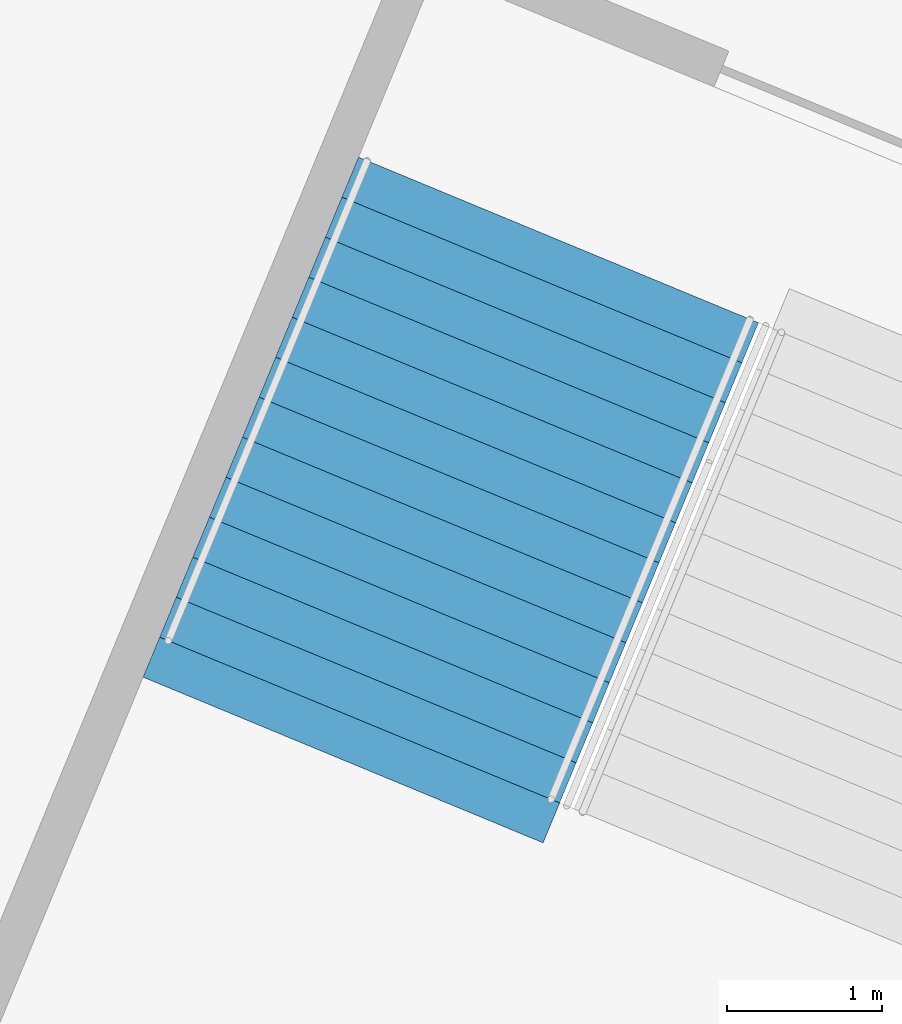
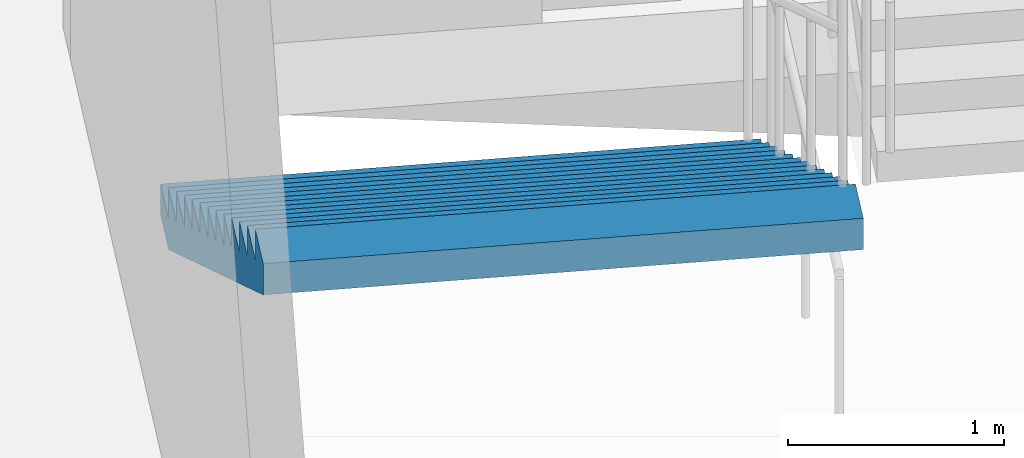
# One storey, part 103 of 199: 1 stair flight, 1 element without a shape of its own.
"""IFC4 building model written with IfcOpenShell, lengths in metres."""

from ifc_helpers import new_model, si_unit, direction, frame, origin, place, context, subcontext, project, spatial, faceted_brep, material, type_object, element, aggregate, save


model = new_model("IFC4")

# Units and contexts
model_context = context("Model", 3, precision=1e-05, world=origin(), true_north=direction((0.0, 1.0)))
body_context = subcontext(model_context, "Body", "Model", "MODEL_VIEW")
ifc_project = project(units=[si_unit("LENGTHUNIT", "METRE"), si_unit("AREAUNIT", "SQUARE_METRE"), si_unit("VOLUMEUNIT", "CUBIC_METRE"), si_unit("PLANEANGLEUNIT", "RADIAN"), si_unit("MASSUNIT", "GRAM", prefix="KILO")], contexts=[model_context])

# Site, building, storey
site_placement = place(None, origin())
site = spatial("IfcSite", under=ifc_project, at=site_placement, CompositionType="ELEMENT")
building_placement = place(site_placement, origin())
building = spatial("IfcBuilding", under=site, at=building_placement, Name="Ogive Plaza Stadium", CompositionType="ELEMENT")
storey_placement = place(building_placement, frame((0.0, 0.0, 9.0)))
storey = spatial("IfcBuildingStorey", under=building, at=storey_placement, Name="L02", CompositionType="ELEMENT", Elevation=9.0)

# Stair, stair flight
ifc_material_1 = material(Name="Concrete C40/50", Category="concrete")
stair_type = type_object("IfcStairType", Name="Exit stair", PredefinedType="STRAIGHT_RUN_STAIR", material=ifc_material_1)
stair_placement = place(storey_placement, origin())
stair = element("IfcStair", 1, at=stair_placement, inside=storey, type_object=stair_type, Name="Exit stair ST18A L02 to L03", PredefinedType="STRAIGHT_RUN_STAIR")
ifc_material_2 = material(Name="Concrete C40/50", Category="concrete")
stair_flight_type = type_object("IfcStairFlightType", Name="Exit stair flight", PredefinedType="STRAIGHT", material=ifc_material_2)
stair_flight_placement = place(storey_placement, frame((-54.294921875, -89.932861328125, 0.0), z_axis=(0.0, 0.0, 1.0), x_axis=(-0.382683432365, -0.923879532511, 0.0)))
stair_flight = element("IfcStairFlight", 2, at=stair_flight_placement, type_object=stair_flight_type, Name="ST18A flight 1", NumberOfRisers=13, NumberOfTreads=12, PredefinedType="STRAIGHT", RiserHeight=0.173076923, TreadLength=0.28, context=body_context, shape_type="Brep", body=[
    faceted_brep([(0.28515625, -1.39990234375, 0.0), (3.639892578125, -1.39990234375, 2.07373046875), (3.639892578125, -1.39990234375, 2.25), (3.360107421875, -1.39990234375, 2.25), (3.360107421875, -1.39990234375, 2.076904296875), (3.080078125, -1.39990234375, 2.076904296875), (3.080078125, -1.39990234375, 1.90380859375), (2.800048828125, -1.39990234375, 1.90380859375), (2.800048828125, -1.39990234375, 1.730712890625), (2.52001953125, -1.39990234375, 1.730712890625), (2.52001953125, -1.39990234375, 1.5576171875), (2.239990234375, -1.39990234375, 1.5576171875), (2.239990234375, -1.39990234375, 1.384521484375), (1.9599609375, -1.39990234375, 1.384521484375), (1.9599609375, -1.39990234375, 1.21142578125), (1.679931640625, -1.39990234375, 1.21142578125), (1.679931640625, -1.39990234375, 1.03857421875), (1.39990234375, -1.39990234375, 1.03857421875), (1.39990234375, -1.39990234375, 0.865478515625), (1.1201171875, -1.39990234375, 0.865478515625), (1.1201171875, -1.39990234375, 0.6923828125), (0.840087890625, -1.39990234375, 0.6923828125), (0.840087890625, -1.39990234375, 0.519287109375), (0.56005859375, -1.39990234375, 0.519287109375), (0.56005859375, -1.39990234375, 0.34619140625), (0.280029296875, -1.39990234375, 0.34619140625), (0.280029296875, -1.39990234375, 0.173095703125), (0.0, -1.39990234375, 0.173095703125), (0.0, -1.39990234375, 0.0), (0.0, 1.39990234375, 0.0), (0.0, 1.39990234375, 0.173095703125), (0.280029296875, 1.39990234375, 0.173095703125), (0.280029296875, 1.39990234375, 0.34619140625), (0.56005859375, 1.39990234375, 0.34619140625), (0.56005859375, 1.39990234375, 0.519287109375), (0.840087890625, 1.39990234375, 0.519287109375), (0.840087890625, 1.39990234375, 0.6923828125), (1.1201171875, 1.39990234375, 0.6923828125), (1.1201171875, 1.39990234375, 0.865478515625), (1.39990234375, 1.39990234375, 0.865478515625), (1.39990234375, 1.39990234375, 1.03857421875), (1.679931640625, 1.39990234375, 1.03857421875), (1.679931640625, 1.39990234375, 1.21142578125), (1.9599609375, 1.39990234375, 1.21142578125), (1.9599609375, 1.39990234375, 1.384521484375), (2.239990234375, 1.39990234375, 1.384521484375), (2.239990234375, 1.39990234375, 1.5576171875), (2.52001953125, 1.39990234375, 1.5576171875), (2.52001953125, 1.39990234375, 1.730712890625), (2.800048828125, 1.39990234375, 1.730712890625), (2.800048828125, 1.39990234375, 1.90380859375), (3.080078125, 1.39990234375, 1.90380859375), (3.080078125, 1.39990234375, 2.076904296875), (3.360107421875, 1.39990234375, 2.076904296875), (3.360107421875, 1.39990234375, 2.25), (3.639892578125, 1.39990234375, 2.25), (3.639892578125, 1.39990234375, 2.07373046875), (0.28515625, 1.39990234375, 0.0), (0.28515625, -1.0888671875, 0.0), (3.639892578125, -1.0888671875, 2.07373046875), (0.28515625, -0.77783203125, 0.0), (3.639892578125, -0.77783203125, 2.07373046875), (0.28515625, -0.466796875, 0.0), (3.639892578125, -0.466796875, 2.07373046875), (0.28515625, -0.155517578125, 0.0), (3.639892578125, -0.155517578125, 2.07373046875), (0.28515625, 0.155517578125, 0.0), (3.639892578125, 0.155517578125, 2.07373046875), (0.28515625, 0.466796875, 0.0), (3.639892578125, 0.466796875, 2.07373046875), (0.28515625, 0.77783203125, 0.0), (3.639892578125, 0.77783203125, 2.07373046875), (0.28515625, 1.0888671875, 0.0), (3.639892578125, 1.0888671875, 2.07373046875), (3.639892578125, -1.0888671875, 2.25), (3.639892578125, -0.77783203125, 2.25), (3.639892578125, -0.466796875, 2.25), (3.639892578125, -0.155517578125, 2.25), (3.639892578125, 0.155517578125, 2.25), (3.639892578125, 0.466796875, 2.25), (3.639892578125, 0.77783203125, 2.25), (3.639892578125, 1.0888671875, 2.25), (3.360107421875, -1.0888671875, 2.25), (3.360107421875, -0.77783203125, 2.25), (3.360107421875, -0.466796875, 2.25), (3.360107421875, -0.155517578125, 2.25), (3.360107421875, 0.155517578125, 2.25), (3.360107421875, 0.466796875, 2.25), (3.360107421875, 0.77783203125, 2.25), (3.360107421875, 1.0888671875, 2.25), (3.360107421875, -1.0888671875, 2.076904296875), (3.360107421875, -0.77783203125, 2.076904296875), (3.360107421875, -0.466796875, 2.076904296875), (3.360107421875, -0.155517578125, 2.076904296875), (3.360107421875, 0.155517578125, 2.076904296875), (3.360107421875, 0.466796875, 2.076904296875), (3.360107421875, 0.77783203125, 2.076904296875), (3.360107421875, 1.0888671875, 2.076904296875), (3.080078125, -1.0888671875, 2.076904296875), (3.080078125, -0.77783203125, 2.076904296875), (3.080078125, -0.466796875, 2.076904296875), (3.080078125, -0.155517578125, 2.076904296875), (3.080078125, 0.155517578125, 2.076904296875), (3.080078125, 0.466796875, 2.076904296875), (3.080078125, 0.77783203125, 2.076904296875), (3.080078125, 1.0888671875, 2.076904296875), (3.080078125, -1.0888671875, 1.90380859375), (3.080078125, -0.77783203125, 1.90380859375), (3.080078125, -0.466796875, 1.90380859375), (3.080078125, -0.155517578125, 1.90380859375), (3.080078125, 0.155517578125, 1.90380859375), (3.080078125, 0.466796875, 1.90380859375), (3.080078125, 0.77783203125, 1.90380859375), (3.080078125, 1.0888671875, 1.90380859375), (2.800048828125, -1.0888671875, 1.90380859375), (2.800048828125, -0.77783203125, 1.90380859375), (2.800048828125, -0.466796875, 1.90380859375), (2.800048828125, -0.155517578125, 1.90380859375), (2.800048828125, 0.155517578125, 1.90380859375), (2.800048828125, 0.466796875, 1.90380859375), (2.800048828125, 0.77783203125, 1.90380859375), (2.800048828125, 1.0888671875, 1.90380859375), (2.800048828125, -1.0888671875, 1.730712890625), (2.800048828125, -0.77783203125, 1.730712890625), (2.800048828125, -0.466796875, 1.730712890625), (2.800048828125, -0.155517578125, 1.730712890625), (2.800048828125, 0.155517578125, 1.730712890625), (2.800048828125, 0.466796875, 1.730712890625), (2.800048828125, 0.77783203125, 1.730712890625), (2.800048828125, 1.0888671875, 1.730712890625), (2.52001953125, -1.0888671875, 1.730712890625), (2.52001953125, -0.77783203125, 1.730712890625), (2.52001953125, -0.466796875, 1.730712890625), (2.52001953125, -0.155517578125, 1.730712890625), (2.52001953125, 0.155517578125, 1.730712890625), (2.52001953125, 0.466796875, 1.730712890625), (2.52001953125, 0.77783203125, 1.730712890625), (2.52001953125, 1.0888671875, 1.730712890625), (2.52001953125, -1.0888671875, 1.5576171875), (2.52001953125, -0.77783203125, 1.5576171875), (2.52001953125, -0.466796875, 1.5576171875), (2.52001953125, -0.155517578125, 1.5576171875), (2.52001953125, 0.155517578125, 1.5576171875), (2.52001953125, 0.466796875, 1.5576171875), (2.52001953125, 0.77783203125, 1.5576171875), (2.52001953125, 1.0888671875, 1.5576171875), (2.239990234375, -1.0888671875, 1.5576171875), (2.239990234375, -0.77783203125, 1.5576171875), (2.239990234375, -0.466796875, 1.5576171875), (2.239990234375, -0.155517578125, 1.5576171875), (2.239990234375, 0.155517578125, 1.5576171875), (2.239990234375, 0.466796875, 1.5576171875), (2.239990234375, 0.77783203125, 1.5576171875), (2.239990234375, 1.0888671875, 1.5576171875), (2.239990234375, -1.0888671875, 1.384521484375), (2.239990234375, -0.77783203125, 1.384521484375), (2.239990234375, -0.466796875, 1.384521484375), (2.239990234375, -0.155517578125, 1.384521484375), (2.239990234375, 0.155517578125, 1.384521484375), (2.239990234375, 0.466796875, 1.384521484375), (2.239990234375, 0.77783203125, 1.384521484375), (2.239990234375, 1.0888671875, 1.384521484375), (1.9599609375, -1.0888671875, 1.384521484375), (1.9599609375, -0.77783203125, 1.384521484375), (1.9599609375, -0.466796875, 1.384521484375), (1.9599609375, -0.155517578125, 1.384521484375), (1.9599609375, 0.155517578125, 1.384521484375), (1.9599609375, 0.466796875, 1.384521484375), (1.9599609375, 0.77783203125, 1.384521484375), (1.9599609375, 1.0888671875, 1.384521484375), (1.9599609375, -1.0888671875, 1.21142578125), (1.9599609375, -0.77783203125, 1.21142578125), (1.9599609375, -0.466796875, 1.21142578125), (1.9599609375, -0.155517578125, 1.21142578125), (1.9599609375, 0.155517578125, 1.21142578125), (1.9599609375, 0.466796875, 1.21142578125), (1.9599609375, 0.77783203125, 1.21142578125), (1.9599609375, 1.0888671875, 1.21142578125), (1.679931640625, -1.0888671875, 1.21142578125), (1.679931640625, -0.77783203125, 1.21142578125), (1.679931640625, -0.466796875, 1.21142578125), (1.679931640625, -0.155517578125, 1.21142578125), (1.679931640625, 0.155517578125, 1.21142578125), (1.679931640625, 0.466796875, 1.21142578125), (1.679931640625, 0.77783203125, 1.21142578125), (1.679931640625, 1.0888671875, 1.21142578125), (1.679931640625, -1.0888671875, 1.03857421875), (1.679931640625, -0.77783203125, 1.03857421875), (1.679931640625, -0.466796875, 1.03857421875), (1.679931640625, -0.155517578125, 1.03857421875), (1.679931640625, 0.155517578125, 1.03857421875), (1.679931640625, 0.466796875, 1.03857421875), (1.679931640625, 0.77783203125, 1.03857421875), (1.679931640625, 1.0888671875, 1.03857421875), (1.39990234375, -1.0888671875, 1.03857421875), (1.39990234375, -0.77783203125, 1.03857421875), (1.39990234375, -0.466796875, 1.03857421875), (1.39990234375, -0.155517578125, 1.03857421875), (1.39990234375, 0.155517578125, 1.03857421875), (1.39990234375, 0.466796875, 1.03857421875), (1.39990234375, 0.77783203125, 1.03857421875), (1.39990234375, 1.0888671875, 1.03857421875), (1.39990234375, -1.0888671875, 0.865478515625), (1.39990234375, -0.77783203125, 0.865478515625), (1.39990234375, -0.466796875, 0.865478515625), (1.39990234375, -0.155517578125, 0.865478515625), (1.39990234375, 0.155517578125, 0.865478515625), (1.39990234375, 0.466796875, 0.865478515625), (1.39990234375, 0.77783203125, 0.865478515625), (1.39990234375, 1.0888671875, 0.865478515625), (1.1201171875, -1.0888671875, 0.865478515625), (1.1201171875, -0.77783203125, 0.865478515625), (1.1201171875, -0.466796875, 0.865478515625), (1.1201171875, -0.155517578125, 0.865478515625), (1.1201171875, 0.155517578125, 0.865478515625), (1.1201171875, 0.466796875, 0.865478515625), (1.1201171875, 0.77783203125, 0.865478515625), (1.1201171875, 1.0888671875, 0.865478515625), (1.1201171875, -1.0888671875, 0.6923828125), (1.1201171875, -0.77783203125, 0.6923828125), (1.1201171875, -0.466796875, 0.6923828125), (1.1201171875, -0.155517578125, 0.6923828125), (1.1201171875, 0.155517578125, 0.6923828125), (1.1201171875, 0.466796875, 0.6923828125), (1.1201171875, 0.77783203125, 0.6923828125), (1.1201171875, 1.0888671875, 0.6923828125), (0.840087890625, -1.0888671875, 0.6923828125), (0.840087890625, -0.77783203125, 0.6923828125), (0.840087890625, -0.466796875, 0.6923828125), (0.840087890625, -0.155517578125, 0.6923828125), (0.840087890625, 0.155517578125, 0.6923828125), (0.840087890625, 0.466796875, 0.6923828125), (0.840087890625, 0.77783203125, 0.6923828125), (0.840087890625, 1.0888671875, 0.6923828125), (0.840087890625, -1.0888671875, 0.519287109375), (0.840087890625, -0.77783203125, 0.519287109375), (0.840087890625, -0.466796875, 0.519287109375), (0.840087890625, -0.155517578125, 0.519287109375), (0.840087890625, 0.155517578125, 0.519287109375), (0.840087890625, 0.466796875, 0.519287109375), (0.840087890625, 0.77783203125, 0.519287109375), (0.840087890625, 1.0888671875, 0.519287109375), (0.56005859375, -1.0888671875, 0.519287109375), (0.56005859375, -0.77783203125, 0.519287109375), (0.56005859375, -0.466796875, 0.519287109375), (0.56005859375, -0.155517578125, 0.519287109375), (0.56005859375, 0.155517578125, 0.519287109375), (0.56005859375, 0.466796875, 0.519287109375), (0.56005859375, 0.77783203125, 0.519287109375), (0.56005859375, 1.0888671875, 0.519287109375), (0.56005859375, -1.0888671875, 0.34619140625), (0.56005859375, -0.77783203125, 0.34619140625), (0.56005859375, -0.466796875, 0.34619140625), (0.56005859375, -0.155517578125, 0.34619140625), (0.56005859375, 0.155517578125, 0.34619140625), (0.56005859375, 0.466796875, 0.34619140625), (0.56005859375, 0.77783203125, 0.34619140625), (0.56005859375, 1.0888671875, 0.34619140625), (0.280029296875, -1.0888671875, 0.34619140625), (0.280029296875, -0.77783203125, 0.34619140625), (0.280029296875, -0.466796875, 0.34619140625), (0.280029296875, -0.155517578125, 0.34619140625), (0.280029296875, 0.155517578125, 0.34619140625), (0.280029296875, 0.466796875, 0.34619140625), (0.280029296875, 0.77783203125, 0.34619140625), (0.280029296875, 1.0888671875, 0.34619140625), (0.280029296875, -1.0888671875, 0.173095703125), (0.280029296875, -0.77783203125, 0.173095703125), (0.280029296875, -0.466796875, 0.173095703125), (0.280029296875, -0.155517578125, 0.173095703125), (0.280029296875, 0.155517578125, 0.173095703125), (0.280029296875, 0.466796875, 0.173095703125), (0.280029296875, 0.77783203125, 0.173095703125), (0.280029296875, 1.0888671875, 0.173095703125), (0.0, -1.0888671875, 0.173095703125), (0.0, -0.77783203125, 0.173095703125), (0.0, -0.466796875, 0.173095703125), (0.0, -0.155517578125, 0.173095703125), (0.0, 0.155517578125, 0.173095703125), (0.0, 0.466796875, 0.173095703125), (0.0, 0.77783203125, 0.173095703125), (0.0, 1.0888671875, 0.173095703125), (0.0, -1.0888671875, 0.0), (0.0, -0.77783203125, 0.0), (0.0, -0.466796875, 0.0), (0.0, -0.155517578125, 0.0), (0.0, 0.155517578125, 0.0), (0.0, 0.466796875, 0.0), (0.0, 0.77783203125, 0.0), (0.0, 1.0888671875, 0.0)], [[[0, 1, 2, 3, 4, 5, 6, 7, 8, 9, 10, 11, 12, 13, 14, 15, 16, 17, 18, 19, 20, 21, 22, 23, 24, 25, 26, 27, 28]], [[29, 30, 31, 32, 33, 34, 35, 36, 37, 38, 39, 40, 41, 42, 43, 44, 45, 46, 47, 48, 49, 50, 51, 52, 53, 54, 55, 56, 57]], [[0, 58, 59, 1]], [[58, 60, 61, 59]], [[60, 62, 63, 61]], [[62, 64, 65, 63]], [[64, 66, 67, 65]], [[66, 68, 69, 67]], [[68, 70, 71, 69]], [[70, 72, 73, 71]], [[72, 57, 56, 73]], [[1, 59, 74, 2]], [[59, 61, 75, 74]], [[61, 63, 76, 75]], [[63, 65, 77, 76]], [[65, 67, 78, 77]], [[67, 69, 79, 78]], [[69, 71, 80, 79]], [[71, 73, 81, 80]], [[73, 56, 55, 81]], [[2, 74, 82, 3]], [[74, 75, 83, 82]], [[75, 76, 84, 83]], [[76, 77, 85, 84]], [[77, 78, 86, 85]], [[78, 79, 87, 86]], [[79, 80, 88, 87]], [[80, 81, 89, 88]], [[81, 55, 54, 89]], [[3, 82, 90, 4]], [[82, 83, 91, 90]], [[83, 84, 92, 91]], [[84, 85, 93, 92]], [[85, 86, 94, 93]], [[86, 87, 95, 94]], [[87, 88, 96, 95]], [[88, 89, 97, 96]], [[89, 54, 53, 97]], [[4, 90, 98, 5]], [[90, 91, 99, 98]], [[91, 92, 100, 99]], [[92, 93, 101, 100]], [[93, 94, 102, 101]], [[94, 95, 103, 102]], [[95, 96, 104, 103]], [[96, 97, 105, 104]], [[97, 53, 52, 105]], [[5, 98, 106, 6]], [[98, 99, 107, 106]], [[99, 100, 108, 107]], [[100, 101, 109, 108]], [[101, 102, 110, 109]], [[102, 103, 111, 110]], [[103, 104, 112, 111]], [[104, 105, 113, 112]], [[105, 52, 51, 113]], [[6, 106, 114, 7]], [[106, 107, 115, 114]], [[107, 108, 116, 115]], [[108, 109, 117, 116]], [[109, 110, 118, 117]], [[110, 111, 119, 118]], [[111, 112, 120, 119]], [[112, 113, 121, 120]], [[113, 51, 50, 121]], [[7, 114, 122, 8]], [[114, 115, 123, 122]], [[115, 116, 124, 123]], [[116, 117, 125, 124]], [[117, 118, 126, 125]], [[118, 119, 127, 126]], [[119, 120, 128, 127]], [[120, 121, 129, 128]], [[121, 50, 49, 129]], [[8, 122, 130, 9]], [[122, 123, 131, 130]], [[123, 124, 132, 131]], [[124, 125, 133, 132]], [[125, 126, 134, 133]], [[126, 127, 135, 134]], [[127, 128, 136, 135]], [[128, 129, 137, 136]], [[129, 49, 48, 137]], [[9, 130, 138, 10]], [[130, 131, 139, 138]], [[131, 132, 140, 139]], [[132, 133, 141, 140]], [[133, 134, 142, 141]], [[134, 135, 143, 142]], [[135, 136, 144, 143]], [[136, 137, 145, 144]], [[137, 48, 47, 145]], [[10, 138, 146, 11]], [[138, 139, 147, 146]], [[139, 140, 148, 147]], [[140, 141, 149, 148]], [[141, 142, 150, 149]], [[142, 143, 151, 150]], [[143, 144, 152, 151]], [[144, 145, 153, 152]], [[145, 47, 46, 153]], [[11, 146, 154, 12]], [[146, 147, 155, 154]], [[147, 148, 156, 155]], [[148, 149, 157, 156]], [[149, 150, 158, 157]], [[150, 151, 159, 158]], [[151, 152, 160, 159]], [[152, 153, 161, 160]], [[153, 46, 45, 161]], [[12, 154, 162, 13]], [[154, 155, 163, 162]], [[155, 156, 164, 163]], [[156, 157, 165, 164]], [[157, 158, 166, 165]], [[158, 159, 167, 166]], [[159, 160, 168, 167]], [[160, 161, 169, 168]], [[161, 45, 44, 169]], [[13, 162, 170, 14]], [[162, 163, 171, 170]], [[163, 164, 172, 171]], [[164, 165, 173, 172]], [[165, 166, 174, 173]], [[166, 167, 175, 174]], [[167, 168, 176, 175]], [[168, 169, 177, 176]], [[169, 44, 43, 177]], [[14, 170, 178, 15]], [[170, 171, 179, 178]], [[171, 172, 180, 179]], [[172, 173, 181, 180]], [[173, 174, 182, 181]], [[174, 175, 183, 182]], [[175, 176, 184, 183]], [[176, 177, 185, 184]], [[177, 43, 42, 185]], [[15, 178, 186, 16]], [[178, 179, 187, 186]], [[179, 180, 188, 187]], [[180, 181, 189, 188]], [[181, 182, 190, 189]], [[182, 183, 191, 190]], [[183, 184, 192, 191]], [[184, 185, 193, 192]], [[185, 42, 41, 193]], [[16, 186, 194, 17]], [[186, 187, 195, 194]], [[187, 188, 196, 195]], [[188, 189, 197, 196]], [[189, 190, 198, 197]], [[190, 191, 199, 198]], [[191, 192, 200, 199]], [[192, 193, 201, 200]], [[193, 41, 40, 201]], [[17, 194, 202, 18]], [[194, 195, 203, 202]], [[195, 196, 204, 203]], [[196, 197, 205, 204]], [[197, 198, 206, 205]], [[198, 199, 207, 206]], [[199, 200, 208, 207]], [[200, 201, 209, 208]], [[201, 40, 39, 209]], [[18, 202, 210, 19]], [[202, 203, 211, 210]], [[203, 204, 212, 211]], [[204, 205, 213, 212]], [[205, 206, 214, 213]], [[206, 207, 215, 214]], [[207, 208, 216, 215]], [[208, 209, 217, 216]], [[209, 39, 38, 217]], [[19, 210, 218, 20]], [[210, 211, 219, 218]], [[211, 212, 220, 219]], [[212, 213, 221, 220]], [[213, 214, 222, 221]], [[214, 215, 223, 222]], [[215, 216, 224, 223]], [[216, 217, 225, 224]], [[217, 38, 37, 225]], [[20, 218, 226, 21]], [[218, 219, 227, 226]], [[219, 220, 228, 227]], [[220, 221, 229, 228]], [[221, 222, 230, 229]], [[222, 223, 231, 230]], [[223, 224, 232, 231]], [[224, 225, 233, 232]], [[225, 37, 36, 233]], [[21, 226, 234, 22]], [[226, 227, 235, 234]], [[227, 228, 236, 235]], [[228, 229, 237, 236]], [[229, 230, 238, 237]], [[230, 231, 239, 238]], [[231, 232, 240, 239]], [[232, 233, 241, 240]], [[233, 36, 35, 241]], [[22, 234, 242, 23]], [[234, 235, 243, 242]], [[235, 236, 244, 243]], [[236, 237, 245, 244]], [[237, 238, 246, 245]], [[238, 239, 247, 246]], [[239, 240, 248, 247]], [[240, 241, 249, 248]], [[241, 35, 34, 249]], [[23, 242, 250, 24]], [[242, 243, 251, 250]], [[243, 244, 252, 251]], [[244, 245, 253, 252]], [[245, 246, 254, 253]], [[246, 247, 255, 254]], [[247, 248, 256, 255]], [[248, 249, 257, 256]], [[249, 34, 33, 257]], [[24, 250, 258, 25]], [[250, 251, 259, 258]], [[251, 252, 260, 259]], [[252, 253, 261, 260]], [[253, 254, 262, 261]], [[254, 255, 263, 262]], [[255, 256, 264, 263]], [[256, 257, 265, 264]], [[257, 33, 32, 265]], [[25, 258, 266, 26]], [[258, 259, 267, 266]], [[259, 260, 268, 267]], [[260, 261, 269, 268]], [[261, 262, 270, 269]], [[262, 263, 271, 270]], [[263, 264, 272, 271]], [[264, 265, 273, 272]], [[265, 32, 31, 273]], [[26, 266, 274, 27]], [[266, 267, 275, 274]], [[267, 268, 276, 275]], [[268, 269, 277, 276]], [[269, 270, 278, 277]], [[270, 271, 279, 278]], [[271, 272, 280, 279]], [[272, 273, 281, 280]], [[273, 31, 30, 281]], [[27, 274, 282, 28]], [[274, 275, 283, 282]], [[275, 276, 284, 283]], [[276, 277, 285, 284]], [[277, 278, 286, 285]], [[278, 279, 287, 286]], [[279, 280, 288, 287]], [[280, 281, 289, 288]], [[281, 30, 29, 289]], [[28, 282, 58, 0]], [[282, 283, 60, 58]], [[283, 284, 62, 60]], [[284, 285, 64, 62]], [[285, 286, 66, 64]], [[286, 287, 68, 66]], [[287, 288, 70, 68]], [[288, 289, 72, 70]], [[289, 29, 57, 72]]]),
])
aggregate(stair, [stair_flight])

save(model, "model.ifc")
